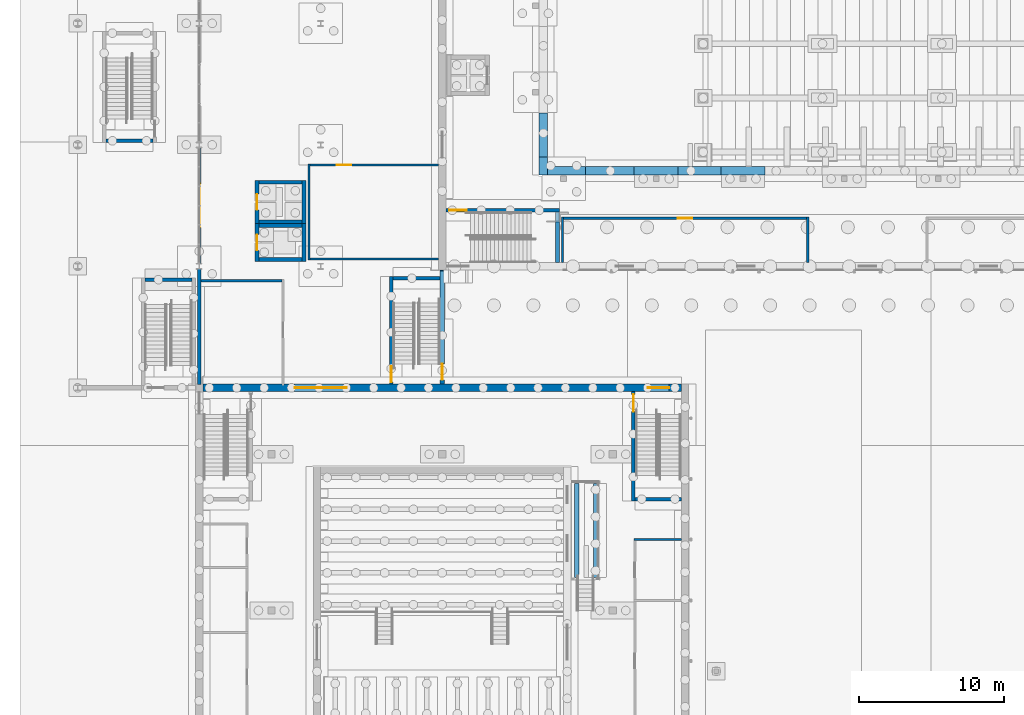
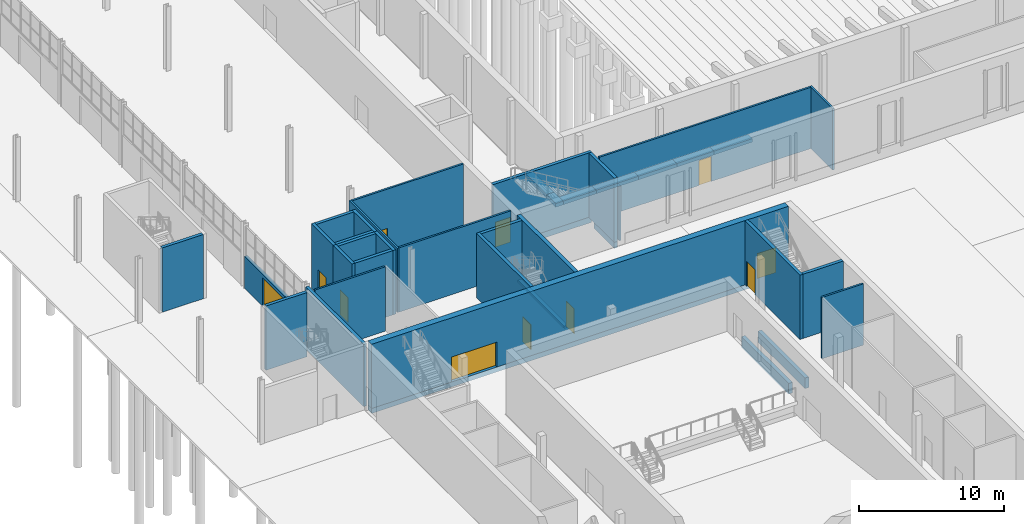
# One storey, part 59 of 127: 41 walls, 11 doors, 11 openings.
"""IFC4 building model written with IfcOpenShell, lengths in metres."""

from ifc_helpers import new_model, si_unit, direction, frame, frame_2d, origin, place, context, subcontext, project, spatial, rectangle, extrude, material, layer, layer_set, type_object, element, fill, save


model = new_model("IFC4")

# Units and contexts
model_context = context("Model", 3, precision=1e-05, world=origin(), true_north=direction((0.0, 1.0)))
body_context = subcontext(model_context, "Body", "Model", "MODEL_VIEW")
ifc_project = project(units=[si_unit("LENGTHUNIT", "METRE"), si_unit("AREAUNIT", "SQUARE_METRE"), si_unit("VOLUMEUNIT", "CUBIC_METRE"), si_unit("PLANEANGLEUNIT", "RADIAN"), si_unit("MASSUNIT", "GRAM", prefix="KILO")], contexts=[model_context])

# Site, building, storey
site_placement = place(None, origin())
site = spatial("IfcSite", under=ifc_project, at=site_placement, CompositionType="ELEMENT")
building_placement = place(site_placement, origin())
building = spatial("IfcBuilding", under=site, at=building_placement, Name="Ljudholm Concert House", CompositionType="ELEMENT")
storey_placement = place(building_placement, origin())
storey = spatial("IfcBuildingStorey", under=building, at=storey_placement, Name="L00", CompositionType="ELEMENT", Elevation=0.0)

# Wall, opening, door
ifc_material_1 = material(Name="Gypsum board on steel studs", Category="steel")
ifc_layer_1 = layer(ifc_material_1, 0.14990234375)
ifc_layer_set_1 = layer_set([ifc_layer_1], Name="Gypsum board on steel studs")
wall_type_1 = type_object("IfcWallType", Name="GYPSUM PARTITION 150", PredefinedType="PARTITIONING", material=ifc_layer_set_1)
wall_1_placement = place(storey_placement, frame((37.60009765625, 57.72509765625, 0.0), z_axis=(0.0, 0.0, 1.0), x_axis=(1.0, 0.0, 0.0)))
wall_1 = element("IfcWall", 1, at=wall_1_placement, inside=storey, type_object=wall_type_1, Name="Cloakroom partition", PredefinedType="PARTITIONING", context=body_context, shape_type="SweptSolid", body=[
    extrude(rectangle(XDim=16.7998046875, YDim=0.14990234375, at=frame_2d((8.39990234375, 0.0))), origin(), (0.0, 0.0, 1.0), 5.14990234375),
])
opening_1_placement = place(wall_1_placement, frame((7.89990234375, 0.0, 0.0)))
opening_1 = element("IfcOpeningElement", 2, at=opening_1_placement, cuts=wall_1, Name="Opening D-H00-003", PredefinedType="OPENING", context=body_context, shape_type="SweptSolid", body=[
    extrude(rectangle(XDim=1.0, YDim=2.10009765625, at=frame_2d((0.5, 1.050048828125))), frame((0.0, 0.0849609375, 0.0), z_axis=(0.0, -1.0, 0.0), x_axis=(1.0, 0.0, 0.0)), (0.0, 0.0, 1.0), 0.169921875),
])
ifc_material_2 = material(Name="Hollow metal door in steel frame", Category="steel")
door_type_1 = type_object("IfcDoorType", Name="SWING DOOR 1000x2100", OperationType="SINGLE_SWING_LEFT", PredefinedType="DOOR", material=ifc_material_2)
door_1_placement = place(opening_1_placement, frame((1.0, 0.0, 0.0), z_axis=(0.0, 0.0, 1.0), x_axis=(-1.0, 0.0, 0.0)))
door_1 = element("IfcDoor", 3, at=door_1_placement, inside=storey, type_object=door_type_1, Name="Cloakroom door", OperationType="SINGLE_SWING_RIGHT", OverallHeight=2.10009765625, OverallWidth=1.0, PredefinedType="DOOR", context=body_context, shape_type="SweptSolid", body=[
    extrude(rectangle(XDim=1.0, YDim=2.10009765625, at=frame_2d((0.5, 1.050048828125))), frame((0.0, 0.02490234375, 0.0), z_axis=(0.0, -1.0, 0.0), x_axis=(1.0, 0.0, 0.0)), (0.0, 0.0, 1.0), 0.050048828125),
])
fill(opening_1, door_1)

# Walls
wall_2_placement = place(storey_placement, frame((37.52490234375, 54.64990234375, 0.0), z_axis=(0.0, 0.0, 1.0), x_axis=(0.0, 1.0, 0.0)))
element("IfcWall", 4, at=wall_2_placement, inside=storey, type_object=wall_type_1, Name="Cloakroom partition", PredefinedType="PARTITIONING", context=body_context, shape_type="SweptSolid", body=[
    extrude(rectangle(XDim=3.150146484375, YDim=0.14990234375, at=frame_2d((1.5751953125, 0.0))), origin(), (0.0, 0.0, 1.0), 4.550048828125),
])
wall_3_placement = place(storey_placement, frame((54.47509765625, 54.64990234375, 0.0), z_axis=(0.0, 0.0, 1.0), x_axis=(0.0, 1.0, 0.0)))
element("IfcWall", 5, at=wall_3_placement, inside=storey, type_object=wall_type_1, Name="Cloakroom partition", PredefinedType="PARTITIONING", context=body_context, shape_type="SweptSolid", body=[
    extrude(rectangle(XDim=3.150146484375, YDim=0.14990234375, at=frame_2d((1.5751953125, 0.0))), origin(), (0.0, 0.0, 1.0), 5.14990234375),
])
wall_4_placement = place(storey_placement, frame((42.449951171875, 35.5, 0.0), z_axis=(0.0, 0.0, 1.0), x_axis=(1.0, 0.0, 0.0)))
element("IfcWall", 6, at=wall_4_placement, inside=storey, type_object=wall_type_1, Name="Instrument Store partition", PredefinedType="PARTITIONING", context=body_context, shape_type="SweptSolid", body=[
    extrude(rectangle(XDim=3.300048828125, YDim=0.14990234375, at=frame_2d((1.64990234375, 0.0))), origin(), (0.0, 0.0, 1.0), 5.14990234375),
])
wall_5_placement = place(storey_placement, frame((12.52490234375, 53.39990234375, 0.0), z_axis=(0.0, 0.0, 1.0), x_axis=(1.0, 0.0, 0.0)))
element("IfcWall", 7, at=wall_5_placement, inside=storey, type_object=wall_type_1, Name="Room wall", PredefinedType="PARTITIONING", context=body_context, shape_type="SweptSolid", body=[
    extrude(rectangle(XDim=5.60009765625, YDim=0.14990234375, at=frame_2d((2.800048828125, 0.0))), origin(), (0.0, 0.0, 1.0), 5.39990234375),
])
wall_6_placement = place(storey_placement, frame((20.0, 54.824951171875, 0.0), z_axis=(0.0, 0.0, 1.0), x_axis=(0.0, 1.0, 0.0)))
element("IfcWall", 8, at=wall_6_placement, inside=storey, type_object=wall_type_1, Name="Room wall", PredefinedType="PARTITIONING", context=body_context, shape_type="SweptSolid", body=[
    extrude(rectangle(XDim=6.650146484375, YDim=0.14990234375, at=frame_2d((3.3251953125, 0.0))), origin(), (0.0, 0.0, 1.0), 5.39990234375),
])
wall_7_placement = place(storey_placement, frame((20.074951171875, 54.89990234375, 0.0), z_axis=(0.0, 0.0, 1.0), x_axis=(1.0, 0.0, 0.0)))
element("IfcWall", 9, at=wall_7_placement, inside=storey, type_object=wall_type_1, Name="Room wall", PredefinedType="PARTITIONING", context=body_context, shape_type="SweptSolid", body=[
    extrude(rectangle(XDim=8.875, YDim=0.14990234375, at=frame_2d((4.4375, 0.0))), origin(), (0.0, 0.0, 1.0), 5.39990234375),
])

# Wall, opening, door
wall_8_placement = place(storey_placement, frame((20.074951171875, 61.39990234375, 0.0), z_axis=(0.0, 0.0, 1.0), x_axis=(1.0, 0.0, 0.0)))
wall_8 = element("IfcWall", 10, at=wall_8_placement, inside=storey, type_object=wall_type_1, Name="Room wall", PredefinedType="PARTITIONING", context=body_context, shape_type="SweptSolid", body=[
    extrude(rectangle(XDim=8.875, YDim=0.14990234375, at=frame_2d((4.4375, 0.0))), origin(), (0.0, 0.0, 1.0), 5.39990234375),
])
opening_2_placement = place(wall_8_placement, frame((1.824951171875, 0.0, 0.0)))
opening_2 = element("IfcOpeningElement", 11, at=opening_2_placement, cuts=wall_8, Name="Opening D-S00-024", PredefinedType="OPENING", context=body_context, shape_type="SweptSolid", body=[
    extrude(rectangle(XDim=1.0, YDim=2.10009765625, at=frame_2d((0.5, 1.050048828125))), frame((0.0, 0.0849609375, 0.0), z_axis=(0.0, -1.0, 0.0), x_axis=(1.0, 0.0, 0.0)), (0.0, 0.0, 1.0), 0.169921875),
])
door_2_placement = place(opening_2_placement, frame((1.0, 0.0, 0.0), z_axis=(0.0, 0.0, 1.0), x_axis=(-1.0, 0.0, 0.0)))
door_2 = element("IfcDoor", 12, at=door_2_placement, inside=storey, type_object=door_type_1, Name="Cloakroom door", OperationType="SINGLE_SWING_LEFT", OverallHeight=2.10009765625, OverallWidth=1.0, PredefinedType="DOOR", context=body_context, shape_type="SweptSolid", body=[
    extrude(rectangle(XDim=1.0, YDim=2.10009765625, at=frame_2d((0.5, 1.050048828125))), frame((0.0, 0.02490234375, 0.0), z_axis=(0.0, -1.0, 0.0), x_axis=(1.0, 0.0, 0.0)), (0.0, 0.0, 1.0), 0.050048828125),
])
fill(opening_2, door_2)

# Wall
ifc_material_3 = material(Name="Concrete 6,500 psi", Category="concrete")
ifc_layer_2 = layer(ifc_material_3, 0.25)
ifc_layer_set_2 = layer_set([ifc_layer_2], Name="Concrete 6,500 psi")
wall_type_2 = type_object("IfcWallType", Name="RC CORE WALL 250", PredefinedType="SHEAR", material=ifc_layer_set_2)
wall_9_placement = place(storey_placement, frame((8.64990234375, 53.47509765625, 0.0), z_axis=(0.0, 0.0, 1.0), x_axis=(1.0, 0.0, 0.0)))
element("IfcWall", 13, at=wall_9_placement, inside=storey, type_object=wall_type_2, Name="Stair enclosure wall", PredefinedType="SHEAR", context=body_context, shape_type="SweptSolid", body=[
    extrude(rectangle(XDim=3.25, YDim=0.25, at=frame_2d((1.625, 0.0))), origin(), (0.0, 0.0, 1.0), 5.39990234375),
])

# Wall, opening, door
wall_10_placement = place(storey_placement, frame((25.675048828125, 46.25, 0.0), z_axis=(0.0, 0.0, 1.0), x_axis=(0.0, 1.0, 0.0)))
wall_10 = element("IfcWall", 14, at=wall_10_placement, inside=storey, type_object=wall_type_2, Name="Stair enclosure wall", PredefinedType="SHEAR", context=body_context, shape_type="SweptSolid", body=[
    extrude(rectangle(XDim=7.449951171875, YDim=0.25, at=frame_2d((3.72509765625, 0.0))), origin(), (0.0, 0.0, 1.0), 5.39990234375),
])
opening_3_placement = place(wall_10_placement, frame((0.14990234375, 0.0, 0.0)))
opening_3 = element("IfcOpeningElement", 15, at=opening_3_placement, cuts=wall_10, Name="Opening D-S00-016", PredefinedType="OPENING", context=body_context, shape_type="SweptSolid", body=[
    extrude(rectangle(XDim=1.10009765625, YDim=2.10009765625, at=frame_2d((0.550048828125, 1.050048828125))), frame((0.0, 0.135009765625, 0.0), z_axis=(0.0, -1.0, 0.0), x_axis=(1.0, 0.0, 0.0)), (0.0, 0.0, 1.0), 0.27001953125),
])
ifc_material_4 = material(Name="Hollow metal door in steel frame", Category="steel")
door_type_2 = type_object("IfcDoorType", Name="SWING DOOR 1100x2100", OperationType="SINGLE_SWING_LEFT", PredefinedType="DOOR", material=ifc_material_4)
door_3_placement = place(opening_3_placement, frame((1.10009765625, 0.0, 0.0), z_axis=(0.0, 0.0, 1.0), x_axis=(-1.0, 0.0, 0.0)))
door_3 = element("IfcDoor", 16, at=door_3_placement, inside=storey, type_object=door_type_2, Name="Stair door", OperationType="SINGLE_SWING_RIGHT", OverallHeight=2.10009765625, OverallWidth=1.10009765625, PredefinedType="DOOR", context=body_context, shape_type="SweptSolid", body=[
    extrude(rectangle(XDim=1.10009765625, YDim=2.10009765625, at=frame_2d((0.550048828125, 1.050048828125))), frame((0.0, 0.02490234375, 0.0), z_axis=(0.0, -1.0, 0.0), x_axis=(1.0, 0.0, 0.0)), (0.0, 0.0, 1.0), 0.050048828125),
])
fill(opening_3, door_3)

# Walls
for number, where, z_axis, x_axis, name in (
    (17, (25.800048828125, 53.574951171875, 0.0), (0.0, 0.0, 1.0), (1.0, 0.0, 0.0), "Stair enclosure wall"),
    (18, (5.949951171875, 63.074951171875, 0.0), (0.0, 0.0, 1.0), (1.0, 0.0, 0.0), "Stair enclosure wall"),
):
    element("IfcWall", number, at=place(storey_placement, frame(where, z_axis=z_axis, x_axis=x_axis)), inside=storey, type_object=wall_type_2, Name=name, PredefinedType="SHEAR", context=body_context, shape_type="SweptSolid", body=[
        extrude(rectangle(XDim=3.25, YDim=0.25, at=frame_2d((1.625, 0.0))), origin(), (0.0, 0.0, 1.0), 5.39990234375),
    ])

# Wall, opening, door
ifc_material_5 = material(Name="Concrete 6,500 psi", Category="concrete")
ifc_layer_3 = layer(ifc_material_5, 0.25)
ifc_layer_set_3 = layer_set([ifc_layer_3], Name="Concrete 6,500 psi")
wall_type_3 = type_object("IfcWallType", Name="RC WALL 250", PredefinedType="SOLIDWALL", material=ifc_layer_set_3)
wall_11_placement = place(storey_placement, frame((29.449951171875, 58.27490234375, 0.0), z_axis=(0.0, 0.0, 1.0), x_axis=(1.0, 0.0, 0.0)))
wall_11 = element("IfcWall", 19, at=wall_11_placement, inside=storey, type_object=wall_type_3, Name="Stair enclosure wall EH1", PredefinedType="SOLIDWALL", context=body_context, shape_type="SweptSolid", body=[
    extrude(rectangle(XDim=7.85009765625, YDim=0.25, at=frame_2d((3.925048828125, 0.0))), origin(), (0.0, 0.0, 1.0), 5.39990234375),
])
opening_4_placement = place(wall_11_placement, frame((0.25, 0.0, 0.0)))
opening_4 = element("IfcOpeningElement", 20, at=opening_4_placement, cuts=wall_11, Name="Opening D-H00-006", PredefinedType="OPENING", context=body_context, shape_type="SweptSolid", body=[
    extrude(rectangle(XDim=1.199951171875, YDim=2.10009765625, at=frame_2d((0.60009765625, 1.050048828125))), frame((0.0, 0.135009765625, 0.0), z_axis=(0.0, -1.0, 0.0), x_axis=(1.0, 0.0, 0.0)), (0.0, 0.0, 1.0), 0.27001953125),
])
ifc_material_6 = material(Name="Hollow metal door in steel frame", Category="steel")
door_type_3 = type_object("IfcDoorType", Name="SWING DOOR 1200x2100", OperationType="SINGLE_SWING_LEFT", PredefinedType="DOOR", material=ifc_material_6)
door_4_placement = place(opening_4_placement, frame((1.199951171875, 0.0, 0.0), z_axis=(0.0, 0.0, 1.0), x_axis=(-1.0, 0.0, 0.0)))
door_4 = element("IfcDoor", 21, at=door_4_placement, inside=storey, type_object=door_type_3, Name="Exit stair EH1 door", OperationType="SINGLE_SWING_LEFT", OverallHeight=2.10009765625, OverallWidth=1.199951171875, PredefinedType="DOOR", context=body_context, shape_type="SweptSolid", body=[
    extrude(rectangle(XDim=1.199951171875, YDim=2.10009765625, at=frame_2d((0.60009765625, 1.050048828125))), frame((0.0, 0.02490234375, 0.0), z_axis=(0.0, -1.0, 0.0), x_axis=(1.0, 0.0, 0.0)), (0.0, 0.0, 1.0), 0.050048828125),
])
fill(opening_4, door_4)

# Wall
wall_12_placement = place(storey_placement, frame((37.175048828125, 54.64990234375, 0.0), z_axis=(0.0, 0.0, 1.0), x_axis=(0.0, 1.0, 0.0)))
element("IfcWall", 22, at=wall_12_placement, inside=storey, type_object=wall_type_3, Name="Stair enclosure wall EH1", PredefinedType="SOLIDWALL", context=body_context, shape_type="SweptSolid", body=[
    extrude(rectangle(XDim=3.5, YDim=0.25, at=frame_2d((1.75, 0.0))), origin(), (0.0, 0.0, 1.0), 5.39990234375),
])

# Wall, opening, door
wall_13_placement = place(storey_placement, frame((42.425048828125, 38.179931640625, 0.0), z_axis=(0.0, 0.0, 1.0), x_axis=(0.0, 1.0, 0.0)))
wall_13 = element("IfcWall", 23, at=wall_13_placement, inside=storey, type_object=wall_type_3, Name="Stair enclosure wall EC3", PredefinedType="SOLIDWALL", context=body_context, shape_type="SweptSolid", body=[
    extrude(rectangle(XDim=7.570068359375, YDim=0.25, at=frame_2d((3.78515625, 0.0))), origin(), (0.0, 0.0, 1.0), 5.39990234375),
])
opening_5_placement = place(wall_13_placement, frame((6.169921875, 0.0, 0.0)))
opening_5 = element("IfcOpeningElement", 24, at=opening_5_placement, cuts=wall_13, Name="Opening D-C00-017", PredefinedType="OPENING", context=body_context, shape_type="SweptSolid", body=[
    extrude(rectangle(XDim=1.199951171875, YDim=2.10009765625, at=frame_2d((0.60009765625, 1.050048828125))), frame((0.0, 0.135009765625, 0.0), z_axis=(0.0, -1.0, 0.0), x_axis=(1.0, 0.0, 0.0)), (0.0, 0.0, 1.0), 0.27001953125),
])
door_5_placement = place(opening_5_placement, frame((1.199951171875, 0.0, 0.0), z_axis=(0.0, 0.0, 1.0), x_axis=(-1.0, 0.0, 0.0)))
door_5 = element("IfcDoor", 25, at=door_5_placement, inside=storey, type_object=door_type_3, Name="Exit stair EC3 door", OperationType="SINGLE_SWING_LEFT", OverallHeight=2.10009765625, OverallWidth=1.199951171875, PredefinedType="DOOR", context=body_context, shape_type="SweptSolid", body=[
    extrude(rectangle(XDim=1.199951171875, YDim=2.10009765625, at=frame_2d((0.60009765625, 1.050048828125))), frame((0.0, 0.02490234375, 0.0), z_axis=(0.0, -1.0, 0.0), x_axis=(1.0, 0.0, 0.0)), (0.0, 0.0, 1.0), 0.050048828125),
])
fill(opening_5, door_5)

# Walls
wall_14_placement = place(storey_placement, frame((42.550048828125, 38.304931640625, 0.0), z_axis=(0.0, 0.0, 1.0), x_axis=(1.0, 0.0, 0.0)))
element("IfcWall", 26, at=wall_14_placement, inside=storey, type_object=wall_type_3, Name="Stair enclosure wall EC3", PredefinedType="SOLIDWALL", context=body_context, shape_type="SweptSolid", body=[
    extrude(rectangle(XDim=3.199951171875, YDim=0.25, at=frame_2d((1.60009765625, 0.0))), origin(), (0.0, 0.0, 1.0), 5.39990234375),
])
wall_15_placement = place(storey_placement, frame((29.449951171875, 58.27490234375, -0.5), z_axis=(0.0, 0.0, 1.0), x_axis=(1.0, 0.0, 0.0)))
element("IfcWall", 27, at=wall_15_placement, inside=storey, type_object=wall_type_3, Name="Wall stem", PredefinedType="SOLIDWALL", context=body_context, shape_type="SweptSolid", body=[
    extrude(rectangle(XDim=7.830078125, YDim=0.25, at=frame_2d((3.9150390625, 0.0))), origin(), (0.0, 0.0, 1.0), 0.5),
])
wall_16_placement = place(storey_placement, frame((37.175048828125, 54.64990234375, -0.5), z_axis=(0.0, 0.0, 1.0), x_axis=(0.0, 1.0, 0.0)))
element("IfcWall", 28, at=wall_16_placement, inside=storey, type_object=wall_type_3, Name="Wall stem", PredefinedType="SOLIDWALL", context=body_context, shape_type="SweptSolid", body=[
    extrude(rectangle(XDim=2.80517578125, YDim=0.25, at=frame_2d((1.402587890625, 0.0))), origin(), (0.0, 0.0, 1.0), 0.5),
])

# Wall, opening, door
wall_17_placement = place(storey_placement, frame((16.39990234375, 54.75, 0.0), z_axis=(0.0, 0.0, 1.0), x_axis=(0.0, 1.0, 0.0)))
wall_17 = element("IfcWall", 29, at=wall_17_placement, inside=storey, type_object=wall_type_3, Name="Lift shaft wall", PredefinedType="SOLIDWALL", context=body_context, shape_type="SweptSolid", body=[
    extrude(rectangle(XDim=2.60009765625, YDim=0.25, at=frame_2d((1.300048828125, 0.0))), origin(), (0.0, 0.0, 1.0), 5.39990234375),
])
opening_6_placement = place(wall_17_placement, frame((0.75, 0.0, 0.0)))
opening_6 = element("IfcOpeningElement", 30, at=opening_6_placement, cuts=wall_17, Name="Opening LD-S00-021", PredefinedType="OPENING", context=body_context, shape_type="SweptSolid", body=[
    extrude(rectangle(XDim=1.10009765625, YDim=2.10009765625, at=frame_2d((0.550048828125, 1.050048828125))), frame((0.0, 0.135009765625, 0.0), z_axis=(0.0, -1.0, 0.0), x_axis=(1.0, 0.0, 0.0)), (0.0, 0.0, 1.0), 0.27001953125),
])
ifc_material_7 = material(Name="Stainless steel sliding landing door, fire-rated", Category="steel")
door_type_4 = type_object("IfcDoorType", Name="LIFT DOOR 1100x2100", OperationType="SLIDING_TO_LEFT", PredefinedType="DOOR", material=ifc_material_7)
door_6_placement = place(opening_6_placement, origin())
door_6 = element("IfcDoor", 31, at=door_6_placement, inside=storey, type_object=door_type_4, Name="Lift landing door", OperationType="SLIDING_TO_LEFT", OverallHeight=2.10009765625, OverallWidth=1.10009765625, PredefinedType="DOOR", context=body_context, shape_type="SweptSolid", body=[
    extrude(rectangle(XDim=1.10009765625, YDim=2.10009765625, at=frame_2d((0.550048828125, 1.050048828125))), frame((0.0, 0.02490234375, 0.0), z_axis=(0.0, -1.0, 0.0), x_axis=(1.0, 0.0, 0.0)), (0.0, 0.0, 1.0), 0.050048828125),
])
fill(opening_6, door_6)

# Walls
wall_18_placement = place(storey_placement, frame((19.64990234375, 54.75, 0.0), z_axis=(0.0, 0.0, 1.0), x_axis=(0.0, 1.0, 0.0)))
element("IfcWall", 32, at=wall_18_placement, inside=storey, type_object=wall_type_3, Name="Lift shaft wall", PredefinedType="SOLIDWALL", context=body_context, shape_type="SweptSolid", body=[
    extrude(rectangle(XDim=2.60009765625, YDim=0.25, at=frame_2d((1.300048828125, 0.0))), origin(), (0.0, 0.0, 1.0), 5.39990234375),
])
for number, where, z_axis, x_axis, name in (
    (33, (16.52490234375, 54.875, 0.0), (0.0, 0.0, 1.0), (1.0, 0.0, 0.0), "Lift shaft wall"),
    (34, (16.52490234375, 57.22509765625, 0.0), (0.0, 0.0, 1.0), (1.0, 0.0, 0.0), "Lift shaft wall"),
):
    element("IfcWall", number, at=place(storey_placement, frame(where, z_axis=z_axis, x_axis=x_axis)), inside=storey, type_object=wall_type_3, Name=name, PredefinedType="SOLIDWALL", context=body_context, shape_type="SweptSolid", body=[
        extrude(rectangle(XDim=3.0, YDim=0.25, at=frame_2d((1.5, 0.0))), origin(), (0.0, 0.0, 1.0), 5.39990234375),
    ])

# Wall, opening, door
wall_19_placement = place(storey_placement, frame((16.39990234375, 57.35009765625, 0.0), z_axis=(0.0, 0.0, 1.0), x_axis=(0.0, 1.0, 0.0)))
wall_19 = element("IfcWall", 35, at=wall_19_placement, inside=storey, type_object=wall_type_3, Name="Lift shaft wall", PredefinedType="SOLIDWALL", context=body_context, shape_type="SweptSolid", body=[
    extrude(rectangle(XDim=3.0, YDim=0.25, at=frame_2d((1.5, 0.0))), origin(), (0.0, 0.0, 1.0), 5.39990234375),
])
opening_7_placement = place(wall_19_placement, frame((0.949951171875, 0.0, 0.0)))
opening_7 = element("IfcOpeningElement", 36, at=opening_7_placement, cuts=wall_19, Name="Opening LD-S00-022", PredefinedType="OPENING", context=body_context, shape_type="SweptSolid", body=[
    extrude(rectangle(XDim=1.10009765625, YDim=2.10009765625, at=frame_2d((0.550048828125, 1.050048828125))), frame((0.0, 0.135009765625, 0.0), z_axis=(0.0, -1.0, 0.0), x_axis=(1.0, 0.0, 0.0)), (0.0, 0.0, 1.0), 0.27001953125),
])
door_7_placement = place(opening_7_placement, origin())
door_7 = element("IfcDoor", 37, at=door_7_placement, inside=storey, type_object=door_type_4, Name="Lift landing door", OperationType="SLIDING_TO_LEFT", OverallHeight=2.10009765625, OverallWidth=1.10009765625, PredefinedType="DOOR", context=body_context, shape_type="SweptSolid", body=[
    extrude(rectangle(XDim=1.10009765625, YDim=2.10009765625, at=frame_2d((0.550048828125, 1.050048828125))), frame((0.0, 0.02490234375, 0.0), z_axis=(0.0, -1.0, 0.0), x_axis=(1.0, 0.0, 0.0)), (0.0, 0.0, 1.0), 0.050048828125),
])
fill(opening_7, door_7)

# Walls
for number, where, z_axis, x_axis, name in (
    (38, (19.64990234375, 57.35009765625, 0.0), (0.0, 0.0, 1.0), (0.0, 1.0, 0.0), "Lift shaft wall"),
    (39, (16.52490234375, 57.47509765625, 0.0), (0.0, 0.0, 1.0), (1.0, 0.0, 0.0), "Lift shaft wall"),
    (40, (16.52490234375, 60.22509765625, 0.0), (0.0, 0.0, 1.0), (1.0, 0.0, 0.0), "Lift shaft wall"),
):
    element("IfcWall", number, at=place(storey_placement, frame(where, z_axis=z_axis, x_axis=x_axis)), inside=storey, type_object=wall_type_3, Name=name, PredefinedType="SOLIDWALL", context=body_context, shape_type="SweptSolid", body=[
        extrude(rectangle(XDim=3.0, YDim=0.25, at=frame_2d((1.5, 0.0))), origin(), (0.0, 0.0, 1.0), 5.39990234375),
    ])
ifc_material_8 = material(Name="Concrete 6,500 psi", Category="concrete")
ifc_layer_4 = layer(ifc_material_8, 0.300048828125)
ifc_layer_set_4 = layer_set([ifc_layer_4], Name="Concrete 6,500 psi")
wall_type_4 = type_object("IfcWallType", Name="RC WALL 300", PredefinedType="SOLIDWALL", material=ifc_layer_set_4)
for number, where, z_axis, x_axis, name in (
    (41, (38.5, 32.89990234375, 0.0), (0.0, 0.0, 1.0), (0.0, 1.0, 0.0), "Landing support wall"),
    (42, (39.800048828125, 32.89990234375, 0.0), (0.0, 0.0, 1.0), (0.0, 1.0, 0.0), "Landing support wall"),
):
    element("IfcWall", number, at=place(storey_placement, frame(where, z_axis=z_axis, x_axis=x_axis)), inside=storey, type_object=wall_type_4, Name=name, PredefinedType="SOLIDWALL", context=body_context, shape_type="SweptSolid", body=[
        extrude(rectangle(XDim=6.5, YDim=0.300048828125, at=frame_2d((3.25, 0.0))), origin(), (0.0, 0.0, 1.0), 0.89990234375),
    ])
wall_20_placement = place(storey_placement, frame((29.199951171875, 47.669921875, -0.199951171875), z_axis=(0.0, 0.0, 1.0), x_axis=(0.0, 1.0, 0.0)))
element("IfcWall", 43, at=wall_20_placement, inside=storey, type_object=wall_type_4, Name="Wall stem", PredefinedType="SOLIDWALL", context=body_context, shape_type="SweptSolid", body=[
    extrude(rectangle(XDim=6.41015625, YDim=0.300048828125, at=frame_2d((3.205078125, 0.0))), origin(), (0.0, 0.0, 1.0), 0.199951171875),
])

# Wall, opening, door
ifc_material_9 = material(Name="Concrete 6,500 psi", Category="concrete")
ifc_layer_5 = layer(ifc_material_9, 0.300048828125)
ifc_layer_set_5 = layer_set([ifc_layer_5], Name="Concrete 6,500 psi")
wall_type_5 = type_object("IfcWallType", Name="RC WALL 300 EXTERNAL", PredefinedType="SOLIDWALL", material=ifc_layer_set_5)
wall_21_placement = place(storey_placement, frame((29.199951171875, 46.25, 0.0), z_axis=(0.0, 0.0, 1.0), x_axis=(0.0, 1.0, 0.0)))
wall_21 = element("IfcWall", 44, at=wall_21_placement, inside=storey, type_object=wall_type_5, Name="Stair enclosure wall", PredefinedType="SOLIDWALL", context=body_context, shape_type="SweptSolid", body=[
    extrude(rectangle(XDim=7.89990234375, YDim=0.300048828125, at=frame_2d((3.949951171875, 0.0))), origin(), (0.0, 0.0, 1.0), 5.39990234375),
])
opening_8_placement = place(wall_21_placement, frame((0.300048828125, 0.0, 0.0)))
opening_8 = element("IfcOpeningElement", 45, at=opening_8_placement, cuts=wall_21, Name="Opening D-S00-013", PredefinedType="OPENING", context=body_context, shape_type="SweptSolid", body=[
    extrude(rectangle(XDim=1.10009765625, YDim=2.10009765625, at=frame_2d((0.550048828125, 1.050048828125))), frame((0.0, 0.159912109375, 0.0), z_axis=(0.0, -1.0, 0.0), x_axis=(1.0, 0.0, 0.0)), (0.0, 0.0, 1.0), 0.320068359375),
])
ifc_material_10 = material(Name="Hollow metal door in steel frame", Category="steel")
door_type_5 = type_object("IfcDoorType", Name="SWING DOOR 1100x2100 EXTERNAL", OperationType="SINGLE_SWING_LEFT", PredefinedType="DOOR", material=ifc_material_10)
door_8_placement = place(opening_8_placement, frame((1.10009765625, 0.0, 0.0), z_axis=(0.0, 0.0, 1.0), x_axis=(-1.0, 0.0, 0.0)))
door_8 = element("IfcDoor", 46, at=door_8_placement, inside=storey, type_object=door_type_5, Name="Stair exit door", OperationType="SINGLE_SWING_RIGHT", OverallHeight=2.10009765625, OverallWidth=1.10009765625, PredefinedType="DOOR", context=body_context, shape_type="SweptSolid", body=[
    extrude(rectangle(XDim=1.10009765625, YDim=2.10009765625, at=frame_2d((0.550048828125, 1.050048828125))), frame((0.0, 0.02490234375, 0.0), z_axis=(0.0, -1.0, 0.0), x_axis=(1.0, 0.0, 0.0)), (0.0, 0.0, 1.0), 0.050048828125),
])
fill(opening_8, door_8)

# Wall, openings, doors
ifc_material_11 = material(Name="Concrete 6,500 psi", Category="concrete")
ifc_layer_6 = layer(ifc_material_11, 0.5)
ifc_layer_set_6 = layer_set([ifc_layer_6], Name="Concrete 6,500 psi")
wall_type_6 = type_object("IfcWallType", Name="RC WALL 500", PredefinedType="SOLIDWALL", material=ifc_layer_set_6)
wall_22_placement = place(storey_placement, frame((12.64990234375, 46.0, 0.0), z_axis=(0.0, 0.0, 1.0), x_axis=(1.0, 0.0, 0.0)))
wall_22 = element("IfcWall", 47, at=wall_22_placement, inside=storey, type_object=wall_type_6, Name="Outer wall N", PredefinedType="SOLIDWALL", context=body_context, shape_type="SweptSolid", body=[
    extrude(rectangle(XDim=33.10009765625, YDim=0.5, at=frame_2d((16.550048828125, 0.0))), origin(), (0.0, 0.0, 1.0), 5.39990234375),
])
opening_9_placement = place(wall_22_placement, frame((30.75, 0.0, 0.0)))
opening_9 = element("IfcOpeningElement", 48, at=opening_9_placement, cuts=wall_22, Name="Opening D-C00-018", PredefinedType="OPENING", context=body_context, shape_type="SweptSolid", body=[
    extrude(rectangle(XDim=1.5, YDim=2.10009765625, at=frame_2d((0.75, 1.050048828125))), frame((0.0, 0.260009765625, 0.0), z_axis=(0.0, -1.0, 0.0), x_axis=(1.0, 0.0, 0.0)), (0.0, 0.0, 1.0), 0.52001953125),
])
opening_10_placement = place(wall_22_placement, frame((6.35009765625, 0.0, 0.0)))
opening_10 = element("IfcOpeningElement", 49, at=opening_10_placement, cuts=wall_22, Name="Opening D-C00-019", PredefinedType="OPENING", context=body_context, shape_type="SweptSolid", body=[
    extrude(rectangle(XDim=3.60009765625, YDim=2.10009765625, at=frame_2d((1.800048828125, 1.050048828125))), frame((0.0, 0.260009765625, 0.0), z_axis=(0.0, -1.0, 0.0), x_axis=(1.0, 0.0, 0.0)), (0.0, 0.0, 1.0), 0.52001953125),
])
ifc_material_12 = material(Name="Hollow metal door in steel frame", Category="steel")
door_type_6 = type_object("IfcDoorType", Name="DOUBLE DOOR 1500x2100", OperationType="DOUBLE_DOOR_SINGLE_SWING", PredefinedType="DOOR", material=ifc_material_12)
door_9_placement = place(opening_9_placement, origin())
door_9 = element("IfcDoor", 50, at=door_9_placement, inside=storey, type_object=door_type_6, Name="Final exit EC3", OperationType="DOUBLE_DOOR_SINGLE_SWING", OverallHeight=2.10009765625, OverallWidth=1.5, PredefinedType="DOOR", context=body_context, shape_type="SweptSolid", body=[
    extrude(rectangle(XDim=1.5, YDim=2.10009765625, at=frame_2d((0.75, 1.050048828125))), frame((0.0, 0.02490234375, 0.0), z_axis=(0.0, -1.0, 0.0), x_axis=(1.0, 0.0, 0.0)), (0.0, 0.0, 1.0), 0.050048828125),
])
fill(opening_9, door_9)
ifc_material_13 = material(Name="Hollow metal door in steel frame", Category="steel")
door_type_7 = type_object("IfcDoorType", Name="DOUBLE DOOR 3600x2100", OperationType="DOUBLE_DOOR_SINGLE_SWING", PredefinedType="DOOR", material=ifc_material_13)
door_10_placement = place(opening_10_placement, origin())
door_10 = element("IfcDoor", 51, at=door_10_placement, inside=storey, type_object=door_type_7, Name="Port P-CS-1 door", OperationType="DOUBLE_DOOR_SINGLE_SWING", OverallHeight=2.10009765625, OverallWidth=3.60009765625, PredefinedType="DOOR", context=body_context, shape_type="SweptSolid", body=[
    extrude(rectangle(XDim=3.60009765625, YDim=2.10009765625, at=frame_2d((1.800048828125, 1.050048828125))), frame((0.0, 0.02490234375, 0.0), z_axis=(0.0, -1.0, 0.0), x_axis=(1.0, 0.0, 0.0)), (0.0, 0.0, 1.0), 0.050048828125),
])
fill(opening_10, door_10)

# Walls
ifc_material_14 = material(Name="Concrete 6,500 psi", Category="concrete")
ifc_layer_7 = layer(ifc_material_14, 0.5)
ifc_layer_set_7 = layer_set([ifc_layer_7], Name="Concrete 6,500 psi")
wall_type_7 = type_object("IfcWallType", Name="RC WALL 500 INTERNAL", PredefinedType="SOLIDWALL", material=ifc_layer_set_7)
wall_23_placement = place(storey_placement, frame((12.64990234375, 46.0, -0.409912109375), z_axis=(0.0, 0.0, 1.0), x_axis=(1.0, 0.0, 0.0)))
element("IfcWall", 52, at=wall_23_placement, inside=storey, type_object=wall_type_7, Name="Wall stem", PredefinedType="SOLIDWALL", context=body_context, shape_type="SweptSolid", body=[
    extrude(rectangle(XDim=33.10009765625, YDim=0.5, at=frame_2d((16.550048828125, 0.0))), origin(), (0.0, 0.0, 1.0), 0.409912109375),
])
ifc_material_15 = material(Name="Concrete 6,500 psi", Category="concrete")
ifc_layer_8 = layer(ifc_material_15, 0.60009765625)
ifc_layer_set_8 = layer_set([ifc_layer_8], Name="Concrete 6,500 psi")
wall_type_8 = type_object("IfcWallType", Name="RC WALL 600", PredefinedType="SOLIDWALL", material=ifc_layer_set_8)
wall_24_placement = place(storey_placement, frame((36.199951171875, 60.699951171875, -0.300048828125), z_axis=(0.0, 0.0, 1.0), x_axis=(0.0, 1.0, 0.0)))
element("IfcWall", 53, at=wall_24_placement, inside=storey, type_object=wall_type_8, Name="Wall stem", PredefinedType="SOLIDWALL", context=body_context, shape_type="SweptSolid", body=[
    extrude(rectangle(XDim=1.27001953125, YDim=0.60009765625, at=frame_2d((0.635009765625, 0.0))), origin(), (0.0, 0.0, 1.0), 0.300048828125),
])
wall_25_placement = place(storey_placement, frame((36.199951171875, 61.969970703125, -0.300048828125), z_axis=(0.0, 0.0, 1.0), x_axis=(0.0, 1.0, 0.0)))
element("IfcWall", 54, at=wall_25_placement, inside=storey, type_object=wall_type_8, Name="Wall stem", PredefinedType="SOLIDWALL", context=body_context, shape_type="SweptSolid", body=[
    extrude(rectangle(XDim=3.0400390625, YDim=0.60009765625, at=frame_2d((1.52001953125, 0.0))), origin(), (0.0, 0.0, 1.0), 0.300048828125),
])
wall_26_placement = place(storey_placement, frame((36.5, 61.0, -0.300048828125), z_axis=(0.0, 0.0, 1.0), x_axis=(1.0, 0.0, 0.0)))
element("IfcWall", 55, at=wall_26_placement, inside=storey, type_object=wall_type_8, Name="Wall stem", PredefinedType="SOLIDWALL", context=body_context, shape_type="SweptSolid", body=[
    extrude(rectangle(XDim=2.6201171875, YDim=0.60009765625, at=frame_2d((1.31005859375, 0.0))), origin(), (0.0, 0.0, 1.0), 0.300048828125),
])
for number, where, z_axis, x_axis, name in (
    (56, (42.47998046875, 61.0, -0.300048828125), (0.0, 0.0, 1.0), (1.0, 0.0, 0.0), "Wall stem"),
    (57, (48.47998046875, 61.0, -0.300048828125), (0.0, 0.0, 1.0), (1.0, 0.0, 0.0), "Wall stem"),
):
    element("IfcWall", number, at=place(storey_placement, frame(where, z_axis=z_axis, x_axis=x_axis)), inside=storey, type_object=wall_type_8, Name=name, PredefinedType="SOLIDWALL", context=body_context, shape_type="SweptSolid", body=[
        extrude(rectangle(XDim=3.0400390625, YDim=0.60009765625, at=frame_2d((1.52001953125, 0.0))), origin(), (0.0, 0.0, 1.0), 0.300048828125),
    ])
wall_27_placement = place(storey_placement, frame((39.1201171875, 61.0, -0.300048828125), z_axis=(0.0, 0.0, 1.0), x_axis=(1.0, 0.0, 0.0)))
element("IfcWall", 58, at=wall_27_placement, inside=storey, type_object=wall_type_8, Name="Wall stem", PredefinedType="SOLIDWALL", context=body_context, shape_type="SweptSolid", body=[
    extrude(rectangle(XDim=3.35986328125, YDim=0.60009765625, at=frame_2d((1.679931640625, 0.0))), origin(), (0.0, 0.0, 1.0), 0.300048828125),
])
wall_28_placement = place(storey_placement, frame((45.52001953125, 61.0, -0.300048828125), z_axis=(0.0, 0.0, 1.0), x_axis=(1.0, 0.0, 0.0)))
element("IfcWall", 59, at=wall_28_placement, inside=storey, type_object=wall_type_8, Name="Wall stem", PredefinedType="SOLIDWALL", context=body_context, shape_type="SweptSolid", body=[
    extrude(rectangle(XDim=2.9599609375, YDim=0.60009765625, at=frame_2d((1.47998046875, 0.0))), origin(), (0.0, 0.0, 1.0), 0.300048828125),
])
ifc_material_16 = material(Name="Aluminium cladding with timber-grain PVDF finish", Category="aluminium")
ifc_layer_9 = layer(ifc_material_16, 0.25)
ifc_layer_set_9 = layer_set([ifc_layer_9], Name="Aluminium cladding with timber-grain PVDF finish")
wall_type_9 = type_object("IfcWallType", Name="TIMBER-GRAIN ALUMINIUM CLAD WALL 250", PredefinedType="SOLIDWALL", material=ifc_layer_set_9)
wall_29_placement = place(storey_placement, frame((12.39990234375, 46.22509765625, 0.0), z_axis=(0.0, 0.0, 1.0), x_axis=(0.0, 1.0, 0.0)))
element("IfcWall", 60, at=wall_29_placement, inside=storey, type_object=wall_type_9, Name="Foyer wall", PredefinedType="SOLIDWALL", context=body_context, shape_type="SweptSolid", body=[
    extrude(rectangle(XDim=7.98828125, YDim=0.25, at=frame_2d((3.994140625, 0.0))), origin(), (0.0, 0.0, 1.0), 5.219970703125),
])

# Wall, opening, door
wall_30_placement = place(storey_placement, frame((12.39990234375, 54.586669921875, 0.0), z_axis=(0.0, 0.0, 1.0), x_axis=(0.0, 1.0, 0.0)))
wall_30 = element("IfcWall", 61, at=wall_30_placement, inside=storey, type_object=wall_type_9, Name="Entrance wall", PredefinedType="SOLIDWALL", context=body_context, shape_type="SweptSolid", body=[
    extrude(rectangle(XDim=8.026611328125, YDim=0.25, at=frame_2d((4.01318359375, 0.0))), origin(), (0.0, 0.0, 1.0), 2.699951171875),
])
opening_11_placement = place(wall_30_placement, frame((2.513427734375, 0.0, 0.0)))
opening_11 = element("IfcOpeningElement", 62, at=opening_11_placement, cuts=wall_30, Name="Opening D-S00-001", PredefinedType="OPENING", context=body_context, shape_type="SweptSolid", body=[
    extrude(rectangle(XDim=3.0, YDim=2.39990234375, at=frame_2d((1.5, 1.199951171875))), frame((0.0, 0.135009765625, 0.0), z_axis=(0.0, -1.0, 0.0), x_axis=(1.0, 0.0, 0.0)), (0.0, 0.0, 1.0), 0.27001953125),
])
ifc_material_17 = material(Name="Aluminium frame with impact-rated laminated glass", Category="aluminium")
door_type_8 = type_object("IfcDoorType", Name="GLAZED ENTRANCE DOOR PAIR 3000x2400", OperationType="DOUBLE_DOOR_SINGLE_SWING", PredefinedType="DOOR", material=ifc_material_17)
door_11_placement = place(opening_11_placement, origin())
door_11 = element("IfcDoor", 63, at=door_11_placement, inside=storey, type_object=door_type_8, Name="Entrance door pair", OperationType="DOUBLE_DOOR_SINGLE_SWING", OverallHeight=2.39990234375, OverallWidth=3.0, PredefinedType="DOOR", context=body_context, shape_type="SweptSolid", body=[
    extrude(rectangle(XDim=3.0, YDim=2.39990234375, at=frame_2d((1.5, 1.199951171875))), frame((0.0, 0.02490234375, 0.0), z_axis=(0.0, -1.0, 0.0), x_axis=(1.0, 0.0, 0.0)), (0.0, 0.0, 1.0), 0.050048828125),
])
fill(opening_11, door_11)

save(model, "model.ifc")
